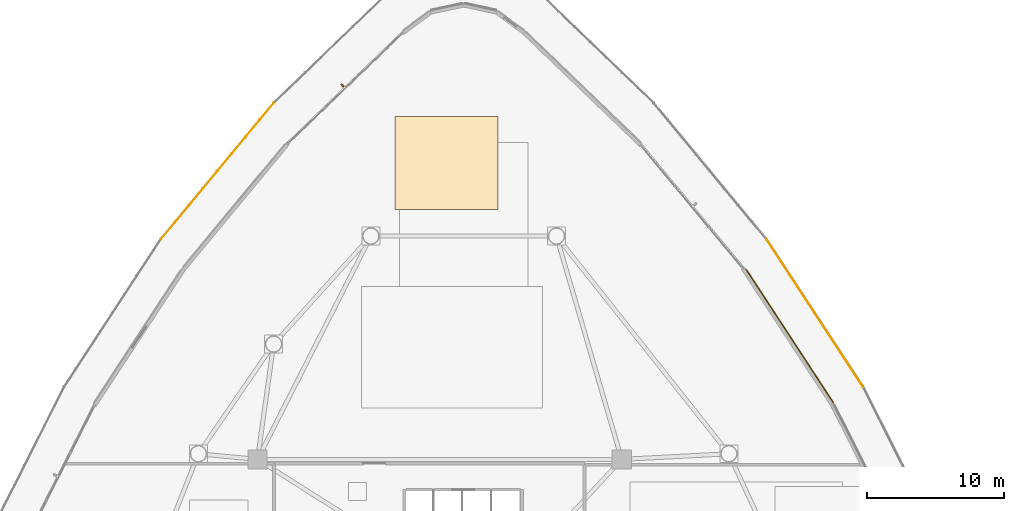
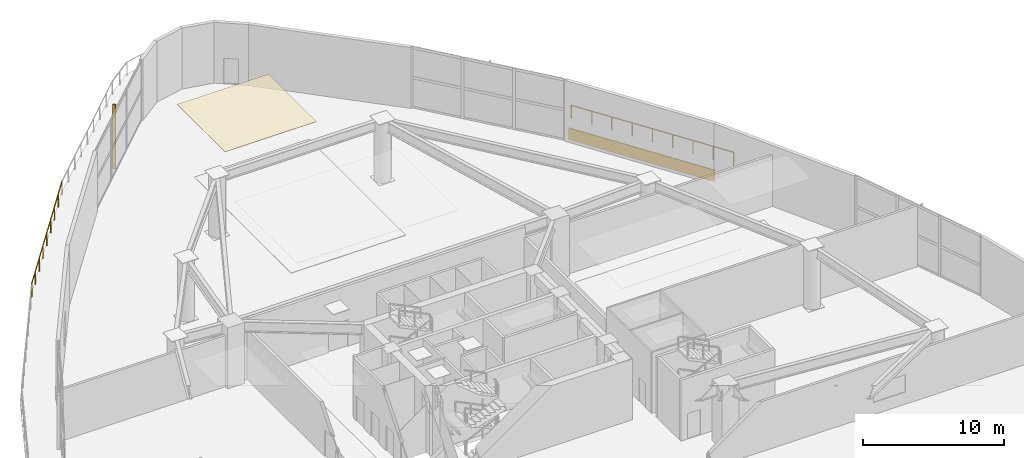
# One storey, part 25 of 26: 2 coverings, 2 railings, 1 shading device.
"""IFC4 building model written with IfcOpenShell, lengths in metres."""

import ifcopenshell
import ifcopenshell.guid

model = None  # the IFC model being written
_history = None  # IfcOwnerHistory: only IFC2X3 demands one
_inside = {}  # id of a spatial element -> (the spatial element, [elements in it])
_under = {}  # id of a project, library or spatial element -> (it, [spatial elements below it])
_declared = {}  # id of a project -> (the project, [libraries it declares])
_typed = {}  # id of a type object -> (the type object, [elements of that type])
_made_of = {}  # id of a material, layer set ... -> (it, [elements and type objects made of it])


def new_model(schema):
    """Start an empty IFC model of exactly this schema.

    Asked for "IFC4X3", IfcOpenShell would pick the latest addendum, in which some entities
    have other attributes; the version numbers below select the first issue.
    IFC2X3 requires an IfcOwnerHistory on every rooted entity: one is made here for all.
    """
    global model, _history
    if schema == "IFC4X3":
        model = ifcopenshell.file(schema_version=(4, 3, 0, 0))
    else:
        model = ifcopenshell.file(schema=schema)
    _inside.clear()
    _under.clear()
    _declared.clear()
    _typed.clear()
    _made_of.clear()
    _history = None
    if model.schema == "IFC2X3":
        org = make("IfcOrganization", Name="unknown")
        user = make(
            "IfcPersonAndOrganization",
            ThePerson=make("IfcPerson", FamilyName="unknown"),
            TheOrganization=org,
        )
        app = make(
            "IfcApplication",
            ApplicationDeveloper=org,
            Version="unknown",
            ApplicationFullName="unknown",
            ApplicationIdentifier="unknown",
        )
        _history = make(
            "IfcOwnerHistory",
            OwningUser=user,
            OwningApplication=app,
            ChangeAction="ADDED",
            CreationDate=0,
        )
    return model


def make(cls, **values):
    """One entity of the class cls with the attributes given. An attribute that is None is left unset."""
    return model.create_entity(
        cls, **{name: value for name, value in values.items() if value is not None}
    )


def rooted(cls, **values):
    """An entity with a GlobalId (a new one), such as an element, a storey or a relation."""
    return make(cls, GlobalId=ifcopenshell.guid.new(), OwnerHistory=_history, **values)


def si_unit(unit_type, name, prefix=None):
    """IfcSIUnit, for example si_unit("LENGTHUNIT", "METRE", prefix="MILLI")."""
    return make("IfcSIUnit", UnitType=unit_type, Prefix=prefix, Name=name)


def assignment(units):
    """IfcUnitAssignment: the units of a project."""
    return None if units is None else make("IfcUnitAssignment", Units=units)


def point(xyz):
    """IfcCartesianPoint."""
    return None if xyz is None else make("IfcCartesianPoint", Coordinates=xyz)


def direction(xyz):
    """IfcDirection."""
    return None if xyz is None else make("IfcDirection", DirectionRatios=xyz)


def frame(location, z_axis=None, x_axis=None):
    """IfcAxis2Placement3D, a coordinate frame: its origin and axes. An axis left out is left unset."""
    return make(
        "IfcAxis2Placement3D",
        Location=point(location),
        Axis=direction(z_axis),
        RefDirection=direction(x_axis),
    )


def frame_2d(location, x_axis=None):
    """IfcAxis2Placement2D, a coordinate frame in the plane: its origin and x axis."""
    return make(
        "IfcAxis2Placement2D", Location=point(location), RefDirection=direction(x_axis)
    )


def origin():
    """The frame at (0, 0, 0) with its axes left unset."""
    return frame((0.0, 0.0, 0.0))


def origin_2d():
    """The frame at (0, 0) in the plane with its x axis left unset."""
    return frame_2d((0.0, 0.0))


def place(relative_to, where):
    """IfcLocalPlacement: puts the frame where relative to a parent placement (None: the world)."""
    return make(
        "IfcLocalPlacement", PlacementRelTo=relative_to, RelativePlacement=where
    )


def context(
    kind, dimensions, precision=None, world=None, true_north=None, identifier=None
):
    """IfcGeometricRepresentationContext, for example the 3D "Model" context."""
    return make(
        "IfcGeometricRepresentationContext",
        ContextIdentifier=identifier,
        ContextType=kind,
        CoordinateSpaceDimension=dimensions,
        Precision=precision,
        WorldCoordinateSystem=world,
        TrueNorth=true_north,
    )


def subcontext(parent, identifier, kind, view, scale=None):
    """IfcGeometricRepresentationSubContext, for example "Body" below "Model"."""
    return make(
        "IfcGeometricRepresentationSubContext",
        ContextIdentifier=identifier,
        ContextType=kind,
        ParentContext=parent,
        TargetScale=scale,
        TargetView=view,
    )


def project(units=None, contexts=None):
    """IfcProject with its units and contexts."""
    return rooted(
        "IfcProject",
        Name="project",
        RepresentationContexts=contexts,
        UnitsInContext=assignment(units),
    )


def spatial(cls, under=None, at=None, **own):
    """A site, building, storey or space (cls), placed at a placement, below another one or the project."""
    s = rooted(cls, ObjectPlacement=at, **own)
    if under is not None:
        _under.setdefault(under.id(), (under, []))[1].append(s)
    return s


def polyline(points):
    """IfcPolyline through the points."""
    return make("IfcPolyline", Points=[point(p) for p in points])


def profile(cls, at=None, kind="AREA", **sizes):
    """A parametric profile (cls). Its sizes go by their IFC names, for example OverallWidth=200.0."""
    return make(cls, ProfileType=kind, Position=at, **sizes)


def rectangle(**sizes):
    """IfcRectangleProfileDef."""
    return profile("IfcRectangleProfileDef", **sizes)


def outline(outer, holes=None, kind="AREA"):
    """IfcArbitraryClosedProfileDef: a profile drawn as a closed curve; with holes, ...WithVoids."""
    if holes is None:
        return make("IfcArbitraryClosedProfileDef", ProfileType=kind, OuterCurve=outer)
    return make(
        "IfcArbitraryProfileDefWithVoids",
        ProfileType=kind,
        OuterCurve=outer,
        InnerCurves=holes,
    )


def extrude(swept, where, along, depth):
    """IfcExtrudedAreaSolid: the profile swept, set in the frame where, extruded along a direction by depth."""
    return make(
        "IfcExtrudedAreaSolid",
        SweptArea=swept,
        Position=where,
        ExtrudedDirection=direction(along),
        Depth=depth,
    )


def shape(context_of_items, identifier, shape_type, items):
    """IfcShapeRepresentation: the items that make up one representation, for example the "Body"."""
    return make(
        "IfcShapeRepresentation",
        ContextOfItems=context_of_items,
        RepresentationIdentifier=identifier,
        RepresentationType=shape_type,
        Items=items,
    )


def source(mapping_origin, context_of_items, identifier, shape_type, items):
    """IfcRepresentationMap: a shape defined once, which mapped items show again and again."""
    return make(
        "IfcRepresentationMap",
        MappingOrigin=mapping_origin,
        MappedRepresentation=shape(context_of_items, identifier, shape_type, items),
    )


def transform(
    local_origin,
    x_axis=None,
    y_axis=None,
    z_axis=None,
    scale=None,
    scale2=None,
    scale3=None,
    uniform=True,
):
    """IfcCartesianTransformationOperator3D, or its non-uniform kind. x_axis, y_axis, z_axis: its Axis1, 2, 3."""
    if uniform:
        return make(
            "IfcCartesianTransformationOperator3D",
            Axis1=direction(x_axis),
            Axis2=direction(y_axis),
            LocalOrigin=point(local_origin),
            Scale=scale,
            Axis3=direction(z_axis),
        )
    return make(
        "IfcCartesianTransformationOperator3DnonUniform",
        Axis1=direction(x_axis),
        Axis2=direction(y_axis),
        LocalOrigin=point(local_origin),
        Scale=scale,
        Axis3=direction(z_axis),
        Scale2=scale2,
        Scale3=scale3,
    )


def mapped(mapping_source, mapping_target):
    """IfcMappedItem: shows the shape of a source again, moved by a transform."""
    return make(
        "IfcMappedItem", MappingSource=mapping_source, MappingTarget=mapping_target
    )


def material(Name=None, Category=None):
    """IfcMaterial."""
    return make("IfcMaterial", Name=Name, Category=Category)


def layer(
    of_material, thickness, ventilated=None, Name=None, Category=None, Priority=None
):
    """IfcMaterialLayer: one layer of a wall or slab, of a material (None: an air gap)."""
    return make(
        "IfcMaterialLayer",
        Material=of_material,
        LayerThickness=thickness,
        IsVentilated=ventilated,
        Name=Name,
        Category=Category,
        Priority=Priority,
    )


def layer_set(layers, Name=None):
    """IfcMaterialLayerSet."""
    return make("IfcMaterialLayerSet", MaterialLayers=layers, LayerSetName=Name)


def made_of(thing, what):
    """Note that an element or type object is made of a material, layer set ...; save() writes the relation."""
    if what is not None:
        _made_of.setdefault(what.id(), (what, []))[1].append(thing)
    return thing


def type_object(cls, material=None, **own):
    """A type object (cls), such as IfcWallType, which elements share."""
    return made_of(rooted(cls, **own), material)


def type_shapes(of_type, sources):
    """Give a type object the sources (RepresentationMaps) that its elements show as mapped items."""
    of_type.RepresentationMaps = sources


def element(
    cls,
    number,
    at=None,
    inside=None,
    cuts=None,
    type_object=None,
    material=None,
    context=None,
    identifier="Body",
    shape_type=None,
    held_by="IfcProductDefinitionShape",
    body=None,
    shapes=None,
    **own,
):
    """One element of the class cls, such as IfcWall. Its Tag is "e" and its number.

    at: its placement. inside: the storey or other place that contains it. cuts: it is an
    opening in that element (IfcRelVoidsElement). A single representation is given by context,
    identifier, shape_type and body (its items); several are given by shapes. held_by: the class
    of the entity that holds the representations. save() writes the other relations.
    """
    e = rooted(cls, Tag="e%d" % number, ObjectPlacement=at, **own)
    if body is not None:
        shapes = [shape(context, identifier, shape_type, body)]
    if shapes is not None:
        e.Representation = make(held_by, Representations=shapes)
    if inside is not None:
        _inside.setdefault(inside.id(), (inside, []))[1].append(e)
    if cuts is not None:
        rooted(
            "IfcRelVoidsElement", RelatingBuildingElement=cuts, RelatedOpeningElement=e
        )
    if type_object is not None:
        _typed.setdefault(type_object.id(), (type_object, []))[1].append(e)
    return made_of(e, material)


def aggregate(whole, parts):
    """IfcRelAggregates: a whole, such as a stair, and the parts it consists of."""
    return rooted("IfcRelAggregates", RelatingObject=whole, RelatedObjects=parts)


def save(model, path):
    """Write the relations noted so far, then the file.

    IfcRelAggregates (storeys below a building ...), IfcRelContainedInSpatialStructure (elements
    in a storey), IfcRelDefinesByType, IfcRelAssociatesMaterial and IfcRelDeclares: one each for
    every whole, place, type object, material and project.
    """
    for whole, parts in _under.values():
        aggregate(whole, parts)
    for where, things in _inside.values():
        rooted(
            "IfcRelContainedInSpatialStructure",
            RelatedElements=things,
            RelatingStructure=where,
        )
    for kind, things in _typed.values():
        rooted("IfcRelDefinesByType", RelatedObjects=things, RelatingType=kind)
    for what, things in _made_of.values():
        rooted("IfcRelAssociatesMaterial", RelatedObjects=things, RelatingMaterial=what)
    for by, libraries in _declared.values():
        rooted("IfcRelDeclares", RelatingContext=by, RelatedDefinitions=libraries)
    model.write(path)


model = new_model("IFC4")

# Units and contexts
model_context = context("Model", 3, precision=1e-05, world=origin(), true_north=direction((0.0, 1.0)))
body_context = subcontext(model_context, "Body", "Model", "MODEL_VIEW")
ifc_project = project(units=[si_unit("LENGTHUNIT", "METRE"), si_unit("AREAUNIT", "SQUARE_METRE"), si_unit("VOLUMEUNIT", "CUBIC_METRE"), si_unit("PLANEANGLEUNIT", "RADIAN"), si_unit("MASSUNIT", "GRAM", prefix="KILO")], contexts=[model_context])

# Site, building, storey
site_placement = place(None, origin())
site = spatial("IfcSite", under=ifc_project, at=site_placement, CompositionType="ELEMENT")
building_placement = place(site_placement, origin())
building = spatial("IfcBuilding", under=site, at=building_placement, Name="Tavelor Broadcast Tower", CompositionType="ELEMENT")
storey_placement = place(building_placement, frame((0.0, 0.0, 5.800048828125)))
storey = spatial("IfcBuildingStorey", under=building, at=storey_placement, Name="L01", CompositionType="ELEMENT", Elevation=5.800048828125)

# Railings
ifc_material_1 = material(Name="Steel S355", Category="steel")
railing_type = type_object("IfcRailingType", Name="Planted Terrace Laminated Glass Balustrade 1150 mm", PredefinedType="BALUSTRADE", material=ifc_material_1)
railing_1_placement = place(storey_placement, frame((36.1669921875, 82.419921875, 0.0)))
element("IfcRailing", 1, at=railing_1_placement, inside=storey, type_object=railing_type, Name="L01 Cascading Garden Terrace 1 Balustrade #9", PredefinedType="BALUSTRADE", context=body_context, shape_type="SweptSolid", body=[
    extrude(rectangle(XDim=0.048095703125, YDim=0.048095703125, at=origin_2d()), frame((0.0, 0.0, 1.1259765625), z_axis=(-0.638061622441, -0.769985302437, 0.0), x_axis=(0.769985302437, -0.638061622441, 0.0)), (0.0, 0.0, 1.0), 12.8544921875),
    extrude(rectangle(XDim=0.0419921875, YDim=0.0419921875, at=origin_2d()), origin(), (0.0, 0.0, 1.0), 1.101806640625),
    extrude(rectangle(XDim=0.0419921875, YDim=0.0419921875, at=origin_2d()), frame((-1.025146484375, -1.2373046875, 0.0)), (0.0, 0.0, 1.0), 1.101806640625),
    extrude(rectangle(XDim=0.0419921875, YDim=0.0419921875, at=origin_2d()), frame((-2.050537109375, -2.474365234375, 0.0)), (0.0, 0.0, 1.0), 1.101806640625),
    extrude(rectangle(XDim=0.0419921875, YDim=0.0419921875, at=origin_2d()), frame((-3.07568359375, -3.711669921875, 0.0)), (0.0, 0.0, 1.0), 1.101806640625),
    extrude(rectangle(XDim=0.0419921875, YDim=0.0419921875, at=origin_2d()), frame((-4.10107421875, -4.94873046875, 0.0)), (0.0, 0.0, 1.0), 1.101806640625),
    extrude(rectangle(XDim=0.0419921875, YDim=0.0419921875, at=origin_2d()), frame((-5.126220703125, -6.18603515625, 0.0)), (0.0, 0.0, 1.0), 1.101806640625),
    extrude(rectangle(XDim=0.0419921875, YDim=0.0419921875, at=origin_2d()), frame((-6.1513671875, -7.42333984375, 0.0)), (0.0, 0.0, 1.0), 1.101806640625),
    extrude(rectangle(XDim=0.0419921875, YDim=0.0419921875, at=origin_2d()), frame((-7.1767578125, -8.660400390625, 0.0)), (0.0, 0.0, 1.0), 1.101806640625),
    extrude(rectangle(XDim=0.0419921875, YDim=0.0419921875, at=origin_2d()), frame((-8.201904296875, -9.897705078125, 0.0)), (0.0, 0.0, 1.0), 1.101806640625),
])
railing_2_placement = place(storey_placement, frame((79.06982421875, 61.777099609375, 0.0)))
element("IfcRailing", 2, at=railing_2_placement, inside=storey, type_object=railing_type, Name="L01 Cascading Garden Terrace 1 Balustrade #31", PredefinedType="BALUSTRADE", context=body_context, shape_type="SweptSolid", body=[
    extrude(rectangle(XDim=0.048095703125, YDim=0.048095703125, at=origin_2d()), frame((0.0, 0.0, 1.1259765625), z_axis=(-0.547791163863, 0.836615109112, 0.0), x_axis=(-0.836615109112, -0.547791163863, 0.0)), (0.0, 0.0, 1.0), 12.854248046875),
    extrude(rectangle(XDim=0.0419921875, YDim=0.0419921875, at=origin_2d()), origin(), (0.0, 0.0, 1.0), 1.101806640625),
    extrude(rectangle(XDim=0.0419921875, YDim=0.0419921875, at=origin_2d()), frame((-0.880126953125, 1.34423828125, 0.0)), (0.0, 0.0, 1.0), 1.101806640625),
    extrude(rectangle(XDim=0.0419921875, YDim=0.0419921875, at=origin_2d()), frame((-1.76025390625, 2.6884765625, 0.0)), (0.0, 0.0, 1.0), 1.101806640625),
    extrude(rectangle(XDim=0.0419921875, YDim=0.0419921875, at=origin_2d()), frame((-2.640625, 4.03271484375, 0.0)), (0.0, 0.0, 1.0), 1.101806640625),
    extrude(rectangle(XDim=0.0419921875, YDim=0.0419921875, at=origin_2d()), frame((-3.520751953125, 5.376953125, 0.0)), (0.0, 0.0, 1.0), 1.101806640625),
    extrude(rectangle(XDim=0.0419921875, YDim=0.0419921875, at=origin_2d()), frame((-4.40087890625, 6.721435546875, 0.0)), (0.0, 0.0, 1.0), 1.101806640625),
    extrude(rectangle(XDim=0.0419921875, YDim=0.0419921875, at=origin_2d()), frame((-5.28125, 8.065673828125, 0.0)), (0.0, 0.0, 1.0), 1.101806640625),
    extrude(rectangle(XDim=0.0419921875, YDim=0.0419921875, at=origin_2d()), frame((-6.161376953125, 9.409912109375, 0.0)), (0.0, 0.0, 1.0), 1.101806640625),
    extrude(rectangle(XDim=0.0419921875, YDim=0.0419921875, at=origin_2d()), frame((-7.04150390625, 10.754150390625, 0.0)), (0.0, 0.0, 1.0), 1.101806640625),
])

# Coverings
ifc_material_2 = material(Name="Kiln-Fired Glazed Terracotta", Category="masonry")
ifc_layer_1 = layer(ifc_material_2, 0.06494140625)
ifc_layer_set_1 = layer_set([ifc_layer_1], Name="Kiln-Fired Glazed Terracotta")
covering_type_1 = type_object("IfcCoveringType", Name="Ribbed Terracotta Rainscreen Spandrel Cladding 65 mm", PredefinedType="CLADDING", material=ifc_layer_set_1)
covering_1_placement = place(storey_placement, frame((73.7138671875, 65.489501953125, 0.050048828125), z_axis=(0.0, 0.0, 1.0), x_axis=(-0.547855275974, 0.836573126862, 0.0)))
element("IfcCovering", 3, at=covering_1_placement, inside=storey, type_object=covering_type_1, Name="L01 Terracotta Spandrel Rainscreen 28", PredefinedType="CLADDING", context=body_context, shape_type="SweptSolid", body=[
    extrude(rectangle(XDim=11.593994140625, YDim=0.06494140625, at=origin_2d()), origin(), (0.0, 0.0, 1.0), 1.0),
])
ifc_material_3 = material(Name="Acoustic Mineral Fibre Tile")
ifc_layer_2 = layer(ifc_material_3, 0.0400390625)
ifc_layer_set_2 = layer_set([ifc_layer_2], Name="Acoustic Mineral Fibre Tile")
covering_type_2 = type_object("IfcCoveringType", Name="Suspended Acoustic Mineral-Fibre Office Ceiling 40 mm", PredefinedType="CEILING", material=ifc_layer_set_2)
covering_2_placement = place(storey_placement, frame((0.0, 0.0, 5.2099609375)))
element("IfcCovering", 4, at=covering_2_placement, inside=storey, type_object=covering_type_2, Name="L01 Suspended Acoustic Ceiling 0046", PredefinedType="CEILING", context=body_context, shape_type="SweptSolid", body=[
    extrude(outline(polyline([(45.008056640625, 74.700927734375), (52.485107421875, 74.700927734375), (52.485107421875, 81.4716796875), (45.008056640625, 81.4716796875), (45.008056640625, 74.700927734375)])), origin(), (0.0, 0.0, 1.0), 0.0400390625),
])

# Shading device
shading_device_type = type_object("IfcShadingDeviceType", Name="Extruded Terracotta Baguette Sun-Screen 110x240", PredefinedType="JALOUSIE", material=ifc_material_2)
shared_shape = source(origin(), body_context, "Body", "SweptSolid", [
    extrude(rectangle(XDim=0.110107421875, YDim=0.239990234375, at=origin_2d()), origin(), (0.0, 0.0, 1.0), 5.5400390625),
])
type_shapes(shading_device_type, [shared_shape])
shading_device_placement = place(storey_placement, frame((41.17822265625, 83.709716796875, -0.31005859375), z_axis=(0.0, 0.0, 1.0), x_axis=(-0.720309024888, -0.693653305813, 0.0)))
element("IfcShadingDevice", 5, at=shading_device_placement, inside=storey, type_object=shading_device_type, Name="L01 Terracotta Baguette Fin 1", PredefinedType="JALOUSIE", context=body_context, shape_type="MappedRepresentation", body=[
    mapped(shared_shape, transform((0.0, 0.0, 0.0), scale=1.0)),
])

save(model, "model.ifc")
